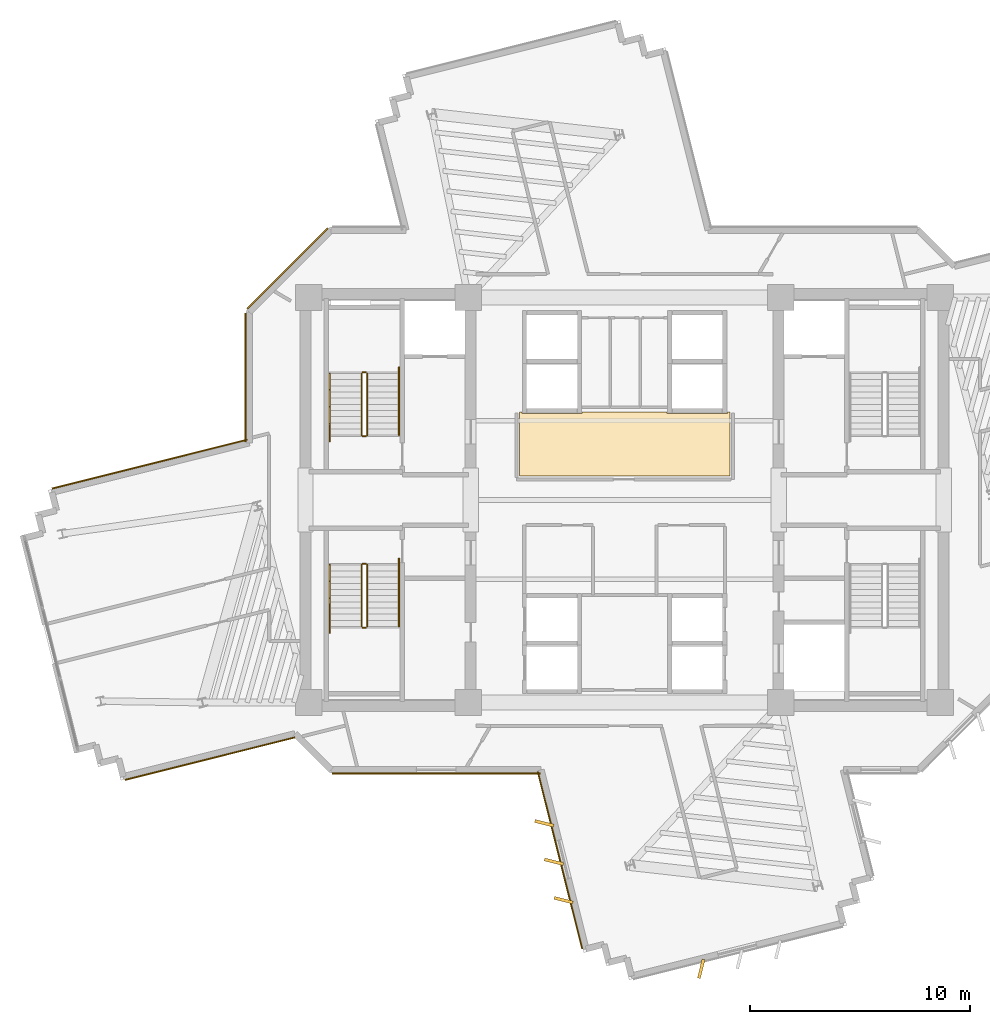
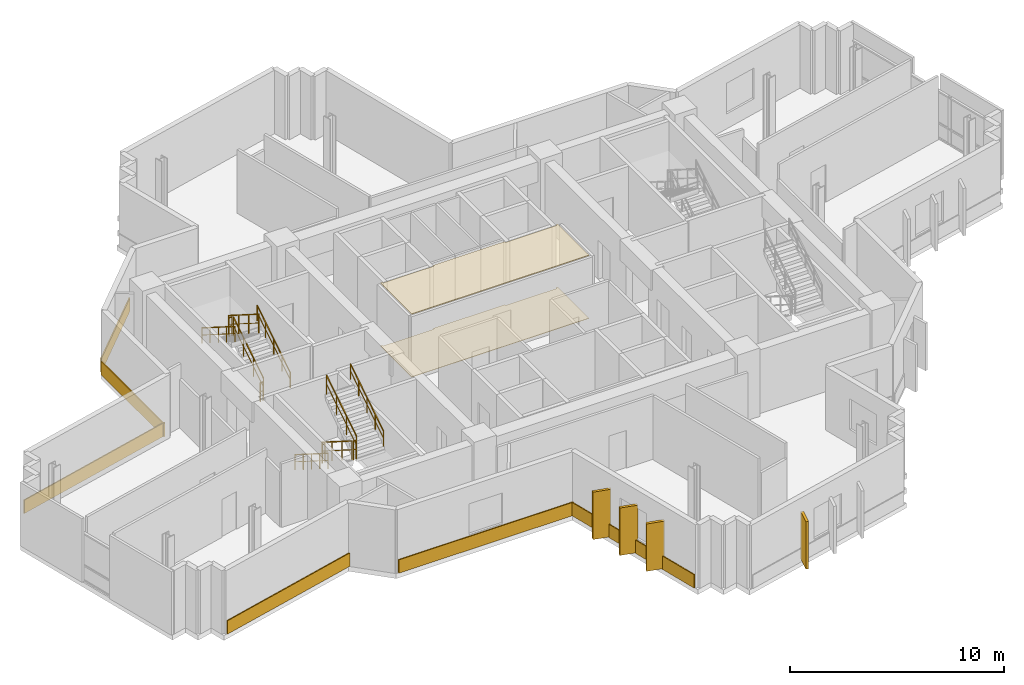
# One storey, part 11 of 13: 12 coverings, 12 railings.
"""IFC4 building model written with IfcOpenShell, lengths in metres."""

from ifc_helpers import new_model, si_unit, direction, frame, origin, origin_2d, place, context, subcontext, project, spatial, polyline, rectangle, outline, extrude, source, transform, mapped, material, layer, layer_set, type_object, element, save


model = new_model("IFC4")

# Units and contexts
model_context = context("Model", 3, precision=1e-05, world=origin(), true_north=direction((0.0, 1.0)))
body_context = subcontext(model_context, "Body", "Model", "MODEL_VIEW")
ifc_project = project(units=[si_unit("LENGTHUNIT", "METRE"), si_unit("AREAUNIT", "SQUARE_METRE"), si_unit("VOLUMEUNIT", "CUBIC_METRE"), si_unit("PLANEANGLEUNIT", "RADIAN"), si_unit("MASSUNIT", "GRAM", prefix="KILO")], contexts=[model_context])

# Site, building, storey
site_placement = place(None, origin())
site = spatial("IfcSite", under=ifc_project, at=site_placement, CompositionType="ELEMENT")
building_placement = place(site_placement, origin())
building = spatial("IfcBuilding", under=site, at=building_placement, Name="Zahravan Cultural Tower", CompositionType="ELEMENT")
storey_placement = place(building_placement, frame((0.0, 0.0, 190.199951171875)))
storey = spatial("IfcBuildingStorey", under=building, at=storey_placement, Name="L44", CompositionType="ELEMENT", Elevation=190.199951171875)

# Coverings
ifc_material_1 = material(Name="Acoustic mineral fibreboard")
ifc_layer_1 = layer(ifc_material_1, 0.0400390625)
ifc_layer_set_1 = layer_set([ifc_layer_1], Name="Acoustic mineral fibreboard")
covering_type_1 = type_object("IfcCoveringType", Name="COV-CEIL-AC20", PredefinedType="CEILING", material=ifc_layer_set_1)
covering_1_placement = place(storey_placement, frame((0.0, 0.0, 3.580078125)))
element("IfcCovering", 1, at=covering_1_placement, inside=storey, type_object=covering_type_1, Name="L44 Acoustic Suspended Ceiling", PredefinedType="CEILING", context=body_context, shape_type="SweptSolid", body=[
    extrude(outline(polyline([(31.219970703125, 31.0), (31.219970703125, 28.080078125), (40.780029296875, 28.080078125), (40.780029296875, 31.0), (40.669921875, 31.0), (40.669921875, 30.929931640625), (37.929931640625, 30.929931640625), (37.929931640625, 31.0), (34.070068359375, 31.0), (34.070068359375, 30.929931640625), (31.330078125, 30.929931640625), (31.330078125, 31.0), (31.219970703125, 31.0)])), origin(), (0.0, 0.0, 1.0), 0.0400390625),
])
ifc_material_2 = material(Name="Terrazzo flooring")
ifc_layer_2 = layer(ifc_material_2, 0.02490234375)
ifc_layer_set_2 = layer_set([ifc_layer_2], Name="Terrazzo flooring")
covering_type_2 = type_object("IfcCoveringType", Name="COV-FLR-TZ25", PredefinedType="FLOORING", material=ifc_layer_set_2)
covering_2_placement = place(storey_placement, origin())
element("IfcCovering", 2, at=covering_2_placement, inside=storey, type_object=covering_type_2, Name="L44 Polished Terrazzo Flooring", PredefinedType="FLOORING", context=body_context, shape_type="SweptSolid", body=[
    extrude(outline(polyline([(31.219970703125, 31.0), (31.219970703125, 28.080078125), (40.780029296875, 28.080078125), (40.780029296875, 31.0), (40.669921875, 31.0), (40.669921875, 30.929931640625), (37.929931640625, 30.929931640625), (37.929931640625, 31.0), (34.070068359375, 31.0), (34.070068359375, 30.929931640625), (31.330078125, 30.929931640625), (31.330078125, 31.0), (31.219970703125, 31.0)])), origin(), (0.0, 0.0, 1.0), 0.025146484375),
])

# Railings
ifc_material_3 = material(Name="Steel ASTM A572 Grade 50", Category="steel")
railing_type_1 = type_object("IfcRailingType", Name="RL-STAIR-GRD1150", PredefinedType="BALUSTRADE", material=ifc_material_3)
railing_1_placement = place(storey_placement, frame((24.300048828125, 29.949951171875, 0.17724609375)))
element("IfcRailing", 3, at=railing_1_placement, inside=storey, type_object=railing_type_1, Name="L44 ST-W1 stair guard 1", PredefinedType="BALUSTRADE", context=body_context, shape_type="SweptSolid", body=[
    extrude(rectangle(XDim=0.05, YDim=0.05, at=origin_2d()), frame((0.0, 0.0, 1.0751953125), z_axis=(0.0, 0.844908973607, 0.534910110503), x_axis=(-1.0, 0.0, 0.0)), (0.0, 0.0, 1.0), 3.31396484375),
    extrude(rectangle(XDim=0.032, YDim=0.032, at=origin_2d()), frame((0.0, 0.0, 0.572021484375), z_axis=(0.0, 0.844908973607, 0.534910110503), x_axis=(-1.0, 0.0, 0.0)), (0.0, 0.0, 1.0), 3.31396484375),
    extrude(rectangle(XDim=0.04, YDim=0.04, at=origin_2d()), origin(), (0.0, 0.0, 1.0), 1.10009765625),
    extrude(rectangle(XDim=0.04, YDim=0.04, at=origin_2d()), frame((0.0, 0.933349609375, 0.5908203125)), (0.0, 0.0, 1.0), 1.10009765625),
    extrude(rectangle(XDim=0.04, YDim=0.04, at=origin_2d()), frame((0.0, 1.86669921875, 1.181884765625)), (0.0, 0.0, 1.0), 1.10009765625),
    extrude(rectangle(XDim=0.04, YDim=0.04, at=origin_2d()), frame((0.0, 2.800048828125, 1.772705078125)), (0.0, 0.0, 1.0), 1.10009765625),
])
railing_2_placement = place(storey_placement, frame((24.25, 32.800048828125, 1.949951171875)))
element("IfcRailing", 4, at=railing_2_placement, inside=storey, type_object=railing_type_1, Name="L44 ST-W1 stair guard 2", PredefinedType="BALUSTRADE", context=body_context, shape_type="SweptSolid", body=[
    extrude(rectangle(XDim=0.05, YDim=0.05, at=origin_2d()), frame((0.0, 0.0, 1.0751953125), z_axis=(-1.0, 0.0, 0.0), x_axis=(0.0, -1.0, 0.0)), (0.0, 0.0, 1.0), 0.14990234375),
    extrude(rectangle(XDim=0.032, YDim=0.032, at=origin_2d()), frame((0.0, 0.0, 0.572021484375), z_axis=(-1.0, 0.0, 0.0), x_axis=(0.0, -1.0, 0.0)), (0.0, 0.0, 1.0), 0.14990234375),
    extrude(rectangle(XDim=0.04, YDim=0.04, at=origin_2d()), origin(), (0.0, 0.0, 1.0), 1.10009765625),
    extrude(rectangle(XDim=0.04, YDim=0.04, at=origin_2d()), frame((-0.14990234375, 0.0, 0.0)), (0.0, 0.0, 1.0), 1.10009765625),
])
railing_3_placement = place(storey_placement, frame((24.050048828125, 32.75, 2.12744140625)))
element("IfcRailing", 5, at=railing_3_placement, inside=storey, type_object=railing_type_1, Name="L44 ST-W1 stair guard 3", PredefinedType="BALUSTRADE", context=body_context, shape_type="SweptSolid", body=[
    extrude(rectangle(XDim=0.05, YDim=0.05, at=origin_2d()), frame((0.0, 0.0, 1.0751953125), z_axis=(0.0, -0.844908973607, 0.534910110503), x_axis=(1.0, 0.0, 0.0)), (0.0, 0.0, 1.0), 3.31396484375),
    extrude(rectangle(XDim=0.032, YDim=0.032, at=origin_2d()), frame((0.0, 0.0, 0.572021484375), z_axis=(0.0, -0.844908973607, 0.534910110503), x_axis=(1.0, 0.0, 0.0)), (0.0, 0.0, 1.0), 3.31396484375),
    extrude(rectangle(XDim=0.04, YDim=0.04, at=origin_2d()), origin(), (0.0, 0.0, 1.0), 1.10009765625),
    extrude(rectangle(XDim=0.04, YDim=0.04, at=origin_2d()), frame((0.0, -0.933349609375, 0.5908203125)), (0.0, 0.0, 1.0), 1.10009765625),
    extrude(rectangle(XDim=0.04, YDim=0.04, at=origin_2d()), frame((0.0, -1.86669921875, 1.181884765625)), (0.0, 0.0, 1.0), 1.10009765625),
    extrude(rectangle(XDim=0.04, YDim=0.04, at=origin_2d()), frame((0.0, -2.800048828125, 1.772705078125)), (0.0, 0.0, 1.0), 1.10009765625),
])
railing_4_placement = place(storey_placement, frame((24.25, 29.89990234375, 0.0)))
element("IfcRailing", 6, at=railing_4_placement, inside=storey, type_object=railing_type_1, Name="L44 ST-W1 stair guard 4", PredefinedType="BALUSTRADE", context=body_context, shape_type="SweptSolid", body=[
    extrude(rectangle(XDim=0.05, YDim=0.05, at=origin_2d()), frame((0.0, 0.0, 1.0751953125), z_axis=(-1.0, 0.0, 0.0), x_axis=(0.0, -1.0, 0.0)), (0.0, 0.0, 1.0), 0.14990234375),
    extrude(rectangle(XDim=0.032, YDim=0.032, at=origin_2d()), frame((0.0, 0.0, 0.572021484375), z_axis=(-1.0, 0.0, 0.0), x_axis=(0.0, -1.0, 0.0)), (0.0, 0.0, 1.0), 0.14990234375),
    extrude(rectangle(XDim=0.04, YDim=0.04, at=origin_2d()), origin(), (0.0, 0.0, 1.0), 1.10009765625),
    extrude(rectangle(XDim=0.04, YDim=0.04, at=origin_2d()), frame((-0.14990234375, 0.0, 0.0)), (0.0, 0.0, 1.0), 1.10009765625),
])
railing_5_placement = place(storey_placement, frame((24.050048828125, 24.050048828125, 0.17724609375)))
element("IfcRailing", 7, at=railing_5_placement, inside=storey, type_object=railing_type_1, Name="L44 ST-W2 stair guard 1", PredefinedType="BALUSTRADE", context=body_context, shape_type="SweptSolid", body=[
    extrude(rectangle(XDim=0.05, YDim=0.05, at=origin_2d()), frame((0.0, 0.0, 1.0751953125), z_axis=(0.0, -0.844908973607, 0.534910110503), x_axis=(1.0, 0.0, 0.0)), (0.0, 0.0, 1.0), 3.31396484375),
    extrude(rectangle(XDim=0.032, YDim=0.032, at=origin_2d()), frame((0.0, 0.0, 0.572021484375), z_axis=(0.0, -0.844908973607, 0.534910110503), x_axis=(1.0, 0.0, 0.0)), (0.0, 0.0, 1.0), 3.31396484375),
    extrude(rectangle(XDim=0.04, YDim=0.04, at=origin_2d()), origin(), (0.0, 0.0, 1.0), 1.10009765625),
    extrude(rectangle(XDim=0.04, YDim=0.04, at=origin_2d()), frame((0.0, -0.933349609375, 0.5908203125)), (0.0, 0.0, 1.0), 1.10009765625),
    extrude(rectangle(XDim=0.04, YDim=0.04, at=origin_2d()), frame((0.0, -1.86669921875, 1.181884765625)), (0.0, 0.0, 1.0), 1.10009765625),
    extrude(rectangle(XDim=0.04, YDim=0.04, at=origin_2d()), frame((0.0, -2.800048828125, 1.772705078125)), (0.0, 0.0, 1.0), 1.10009765625),
])
railing_6_placement = place(storey_placement, frame((24.10009765625, 21.199951171875, 1.949951171875)))
element("IfcRailing", 8, at=railing_6_placement, inside=storey, type_object=railing_type_1, Name="L44 ST-W2 stair guard 2", PredefinedType="BALUSTRADE", context=body_context, shape_type="SweptSolid", body=[
    extrude(rectangle(XDim=0.05, YDim=0.05, at=origin_2d()), frame((0.0, 0.0, 1.0751953125), z_axis=(1.0, 0.0, 0.0), x_axis=(0.0, 1.0, 0.0)), (0.0, 0.0, 1.0), 0.14990234375),
    extrude(rectangle(XDim=0.032, YDim=0.032, at=origin_2d()), frame((0.0, 0.0, 0.572021484375), z_axis=(1.0, 0.0, 0.0), x_axis=(0.0, 1.0, 0.0)), (0.0, 0.0, 1.0), 0.14990234375),
    extrude(rectangle(XDim=0.04, YDim=0.04, at=origin_2d()), origin(), (0.0, 0.0, 1.0), 1.10009765625),
    extrude(rectangle(XDim=0.04, YDim=0.04, at=origin_2d()), frame((0.14990234375, 0.0, 0.0)), (0.0, 0.0, 1.0), 1.10009765625),
])
railing_7_placement = place(storey_placement, frame((24.300048828125, 21.25, 2.12744140625)))
element("IfcRailing", 9, at=railing_7_placement, inside=storey, type_object=railing_type_1, Name="L44 ST-W2 stair guard 3", PredefinedType="BALUSTRADE", context=body_context, shape_type="SweptSolid", body=[
    extrude(rectangle(XDim=0.05, YDim=0.05, at=origin_2d()), frame((0.0, 0.0, 1.0751953125), z_axis=(0.0, 0.844908973607, 0.534910110503), x_axis=(-1.0, 0.0, 0.0)), (0.0, 0.0, 1.0), 3.31396484375),
    extrude(rectangle(XDim=0.032, YDim=0.032, at=origin_2d()), frame((0.0, 0.0, 0.572021484375), z_axis=(0.0, 0.844908973607, 0.534910110503), x_axis=(-1.0, 0.0, 0.0)), (0.0, 0.0, 1.0), 3.31396484375),
    extrude(rectangle(XDim=0.04, YDim=0.04, at=origin_2d()), origin(), (0.0, 0.0, 1.0), 1.10009765625),
    extrude(rectangle(XDim=0.04, YDim=0.04, at=origin_2d()), frame((0.0, 0.933349609375, 0.5908203125)), (0.0, 0.0, 1.0), 1.10009765625),
    extrude(rectangle(XDim=0.04, YDim=0.04, at=origin_2d()), frame((0.0, 1.86669921875, 1.181884765625)), (0.0, 0.0, 1.0), 1.10009765625),
    extrude(rectangle(XDim=0.04, YDim=0.04, at=origin_2d()), frame((0.0, 2.800048828125, 1.772705078125)), (0.0, 0.0, 1.0), 1.10009765625),
])
railing_8_placement = place(storey_placement, frame((24.10009765625, 24.10009765625, 0.0)))
element("IfcRailing", 10, at=railing_8_placement, inside=storey, type_object=railing_type_1, Name="L44 ST-W2 stair guard 4", PredefinedType="BALUSTRADE", context=body_context, shape_type="SweptSolid", body=[
    extrude(rectangle(XDim=0.05, YDim=0.05, at=origin_2d()), frame((0.0, 0.0, 1.0751953125), z_axis=(1.0, 0.0, 0.0), x_axis=(0.0, 1.0, 0.0)), (0.0, 0.0, 1.0), 0.14990234375),
    extrude(rectangle(XDim=0.032, YDim=0.032, at=origin_2d()), frame((0.0, 0.0, 0.572021484375), z_axis=(1.0, 0.0, 0.0), x_axis=(0.0, 1.0, 0.0)), (0.0, 0.0, 1.0), 0.14990234375),
    extrude(rectangle(XDim=0.04, YDim=0.04, at=origin_2d()), origin(), (0.0, 0.0, 1.0), 1.10009765625),
    extrude(rectangle(XDim=0.04, YDim=0.04, at=origin_2d()), frame((0.14990234375, 0.0, 0.0)), (0.0, 0.0, 1.0), 1.10009765625),
])
railing_type_2 = type_object("IfcRailingType", Name="RL-STAIR-HR900", PredefinedType="HANDRAIL", material=ifc_material_3)
railing_9_placement = place(storey_placement, frame((25.75, 29.949951171875, 0.17724609375)))
element("IfcRailing", 11, at=railing_9_placement, inside=storey, type_object=railing_type_2, Name="L44 ST-W1 stair handrail 1", PredefinedType="HANDRAIL", context=body_context, shape_type="SweptSolid", body=[
    extrude(rectangle(XDim=0.05, YDim=0.05, at=origin_2d()), frame((0.0, 0.0, 0.875), z_axis=(0.0, 0.844883648757, 0.534950109882), x_axis=(-1.0, 0.0, 0.0)), (0.0, 0.0, 1.0), 3.6455078125),
    extrude(rectangle(XDim=0.032, YDim=0.032, at=origin_2d()), frame((0.0, 0.0, 0.468017578125), z_axis=(0.0, 0.844883648757, 0.534950109882), x_axis=(-1.0, 0.0, 0.0)), (0.0, 0.0, 1.0), 3.6455078125),
    extrude(rectangle(XDim=0.04, YDim=0.04, at=origin_2d()), origin(), (0.0, 0.0, 1.0), 0.89990234375),
    extrude(rectangle(XDim=0.04, YDim=0.04, at=origin_2d()), frame((0.0, 0.77001953125, 0.487548828125)), (0.0, 0.0, 1.0), 0.89990234375),
    extrude(rectangle(XDim=0.04, YDim=0.04, at=origin_2d()), frame((0.0, 1.5400390625, 0.97509765625)), (0.0, 0.0, 1.0), 0.89990234375),
    extrude(rectangle(XDim=0.04, YDim=0.04, at=origin_2d()), frame((0.0, 2.31005859375, 1.462646484375)), (0.0, 0.0, 1.0), 0.89990234375),
    extrude(rectangle(XDim=0.04, YDim=0.04, at=origin_2d()), frame((0.0, 3.080078125, 1.9501953125)), (0.0, 0.0, 1.0), 0.89990234375),
])
railing_10_placement = place(storey_placement, frame((22.60009765625, 32.75, 2.12744140625)))
element("IfcRailing", 12, at=railing_10_placement, inside=storey, type_object=railing_type_2, Name="L44 ST-W1 stair handrail 2", PredefinedType="HANDRAIL", context=body_context, shape_type="SweptSolid", body=[
    extrude(rectangle(XDim=0.05, YDim=0.05, at=origin_2d()), frame((0.0, 0.0, 0.875), z_axis=(0.0, -0.844913916606, 0.534902302785), x_axis=(1.0, 0.0, 0.0)), (0.0, 0.0, 1.0), 3.6455078125),
    extrude(rectangle(XDim=0.032, YDim=0.032, at=origin_2d()), frame((0.0, 0.0, 0.468017578125), z_axis=(0.0, -0.844913916606, 0.534902302785), x_axis=(1.0, 0.0, 0.0)), (0.0, 0.0, 1.0), 3.6455078125),
    extrude(rectangle(XDim=0.04, YDim=0.04, at=origin_2d()), origin(), (0.0, 0.0, 1.0), 0.89990234375),
    extrude(rectangle(XDim=0.04, YDim=0.04, at=origin_2d()), frame((0.0, -0.77001953125, 0.487548828125)), (0.0, 0.0, 1.0), 0.89990234375),
    extrude(rectangle(XDim=0.04, YDim=0.04, at=origin_2d()), frame((0.0, -1.5400390625, 0.97509765625)), (0.0, 0.0, 1.0), 0.89990234375),
    extrude(rectangle(XDim=0.04, YDim=0.04, at=origin_2d()), frame((0.0, -2.31005859375, 1.46240234375)), (0.0, 0.0, 1.0), 0.89990234375),
    extrude(rectangle(XDim=0.04, YDim=0.04, at=origin_2d()), frame((0.0, -3.080078125, 1.949951171875)), (0.0, 0.0, 1.0), 0.89990234375),
])
railing_11_placement = place(storey_placement, frame((22.60009765625, 24.050048828125, 0.17724609375)))
element("IfcRailing", 13, at=railing_11_placement, inside=storey, type_object=railing_type_2, Name="L44 ST-W2 stair handrail 1", PredefinedType="HANDRAIL", context=body_context, shape_type="SweptSolid", body=[
    extrude(rectangle(XDim=0.05, YDim=0.05, at=origin_2d()), frame((0.0, 0.0, 0.875), z_axis=(0.0, -0.844883648757, 0.534950109882), x_axis=(1.0, 0.0, 0.0)), (0.0, 0.0, 1.0), 3.6455078125),
    extrude(rectangle(XDim=0.032, YDim=0.032, at=origin_2d()), frame((0.0, 0.0, 0.468017578125), z_axis=(0.0, -0.844883648757, 0.534950109882), x_axis=(1.0, 0.0, 0.0)), (0.0, 0.0, 1.0), 3.6455078125),
    extrude(rectangle(XDim=0.04, YDim=0.04, at=origin_2d()), origin(), (0.0, 0.0, 1.0), 0.89990234375),
    extrude(rectangle(XDim=0.04, YDim=0.04, at=origin_2d()), frame((0.0, -0.77001953125, 0.487548828125)), (0.0, 0.0, 1.0), 0.89990234375),
    extrude(rectangle(XDim=0.04, YDim=0.04, at=origin_2d()), frame((0.0, -1.5400390625, 0.97509765625)), (0.0, 0.0, 1.0), 0.89990234375),
    extrude(rectangle(XDim=0.04, YDim=0.04, at=origin_2d()), frame((0.0, -2.31005859375, 1.462646484375)), (0.0, 0.0, 1.0), 0.89990234375),
    extrude(rectangle(XDim=0.04, YDim=0.04, at=origin_2d()), frame((0.0, -3.080078125, 1.9501953125)), (0.0, 0.0, 1.0), 0.89990234375),
])
railing_12_placement = place(storey_placement, frame((25.75, 21.25, 2.12744140625)))
element("IfcRailing", 14, at=railing_12_placement, inside=storey, type_object=railing_type_2, Name="L44 ST-W2 stair handrail 2", PredefinedType="HANDRAIL", context=body_context, shape_type="SweptSolid", body=[
    extrude(rectangle(XDim=0.05, YDim=0.05, at=origin_2d()), frame((0.0, 0.0, 0.875), z_axis=(0.0, 0.844913916606, 0.534902302785), x_axis=(-1.0, 0.0, 0.0)), (0.0, 0.0, 1.0), 3.6455078125),
    extrude(rectangle(XDim=0.032, YDim=0.032, at=origin_2d()), frame((0.0, 0.0, 0.468017578125), z_axis=(0.0, 0.844913916606, 0.534902302785), x_axis=(-1.0, 0.0, 0.0)), (0.0, 0.0, 1.0), 3.6455078125),
    extrude(rectangle(XDim=0.04, YDim=0.04, at=origin_2d()), origin(), (0.0, 0.0, 1.0), 0.89990234375),
    extrude(rectangle(XDim=0.04, YDim=0.04, at=origin_2d()), frame((0.0, 0.77001953125, 0.487548828125)), (0.0, 0.0, 1.0), 0.89990234375),
    extrude(rectangle(XDim=0.04, YDim=0.04, at=origin_2d()), frame((0.0, 1.5400390625, 0.97509765625)), (0.0, 0.0, 1.0), 0.89990234375),
    extrude(rectangle(XDim=0.04, YDim=0.04, at=origin_2d()), frame((0.0, 2.31005859375, 1.46240234375)), (0.0, 0.0, 1.0), 0.89990234375),
    extrude(rectangle(XDim=0.04, YDim=0.04, at=origin_2d()), frame((0.0, 3.080078125, 1.949951171875)), (0.0, 0.0, 1.0), 0.89990234375),
])

# Coverings
ifc_material_4 = material(Name="Terracotta ceramic cladding", Category="masonry")
ifc_layer_3 = layer(ifc_material_4, 0.06005859375)
ifc_layer_set_3 = layer_set([ifc_layer_3], Name="Terracotta ceramic cladding")
covering_type_3 = type_object("IfcCoveringType", Name="COV-CLAD-TC60", PredefinedType="CLADDING", material=ifc_layer_set_3)
shared_shape_1 = source(origin(), body_context, "Body", "SweptSolid", [
    extrude(rectangle(XDim=5.157958984375, YDim=0.06005859375, at=origin_2d()), origin(), (0.0, 0.0, 1.0), 0.760009765625),
])
covering_3_placement = place(storey_placement, frame((20.682373046875, 37.517578125, 0.02001953125), z_axis=(0.0, 0.0, 1.0), x_axis=(0.707106781187, 0.707106781187, 0.0)))
element("IfcCovering", 15, at=covering_3_placement, inside=storey, type_object=covering_type_3, Name="L44 Terracotta Spandrel Cladding 38", PredefinedType="CLADDING", context=body_context, shape_type="MappedRepresentation", body=[
    mapped(shared_shape_1, transform((0.0, 0.0, 0.0), x_axis=(1.0, 0.0, 0.0), y_axis=(0.0, 1.0, 0.0), z_axis=(0.0, 0.0, 1.0), scale=1.0)),
])
shared_shape_2 = source(origin(), body_context, "Body", "SweptSolid", [
    extrude(rectangle(XDim=0.8798828125, YDim=0.139892578125, at=origin_2d()), origin(), (0.0, 0.0, 1.0), 2.699951171875),
])
for number, where, z_axis, x_axis, name in (
    (16, (39.4794921875, 5.697021484375, 0.05029296875), (0.0, 0.0, 1.0), (-0.240905671828, -0.970548534222, 0.0), "L44 Herringbone Terracotta Fin 15"),
    (17, (33.224609375, 8.815673828125, 0.05029296875), (0.0, 0.0, 1.0), (-0.970544329477, 0.240922611059, 0.0), "L44 Herringbone Terracotta Fin 16"),
    (18, (32.787353515625, 10.561767578125, 0.05029296875), (0.0, 0.0, 1.0), (-0.970544329477, 0.240922611059, 0.0), "L44 Herringbone Terracotta Fin 17"),
    (19, (32.35009765625, 12.307861328125, 0.05029296875), (0.0, 0.0, 1.0), (-0.970544329477, 0.240922611059, 0.0), "L44 Herringbone Terracotta Fin 18"),
):
    element("IfcCovering", number, at=place(storey_placement, frame(where, z_axis=z_axis, x_axis=x_axis)), inside=storey, type_object=covering_type_3, Name=name, PredefinedType="CLADDING", context=body_context, shape_type="MappedRepresentation", body=[
        mapped(shared_shape_2, transform((0.0, 0.0, 0.0), x_axis=(1.0, 0.0, 0.0), y_axis=(0.0, 1.0, 0.0), z_axis=(0.0, 0.0, 1.0), scale=1.0)),
    ])
shared_shape_3 = source(origin(), body_context, "Body", "SweptSolid", [
    extrude(rectangle(XDim=7.945556640625, YDim=0.06005859375, at=origin_2d()), origin(), (0.0, 0.0, 1.0), 0.760009765625),
])
covering_4_placement = place(storey_placement, frame((17.154052734375, 15.244384765625, 0.02001953125), z_axis=(0.0, 0.0, 1.0), x_axis=(-0.970041854282, -0.242937854074, 0.0)))
element("IfcCovering", 20, at=covering_4_placement, inside=storey, type_object=covering_type_3, Name="L44 Terracotta Spandrel Cladding 27", PredefinedType="CLADDING", context=body_context, shape_type="MappedRepresentation", body=[
    mapped(shared_shape_3, transform((0.0, 0.0, 0.0), x_axis=(1.0, 0.0, 0.0), y_axis=(0.0, 1.0, 0.0), z_axis=(0.0, 0.0, 1.0), scale=1.0)),
])
shared_shape_4 = source(origin(), body_context, "Body", "SweptSolid", [
    extrude(rectangle(XDim=9.14111328125, YDim=0.06005859375, at=origin_2d()), origin(), (0.0, 0.0, 1.0), 0.760009765625),
])
covering_5_placement = place(storey_placement, frame((14.417724609375, 28.630615234375, 0.02001953125), z_axis=(0.0, 0.0, 1.0), x_axis=(0.970046094199, 0.242920923613, 0.0)))
element("IfcCovering", 21, at=covering_5_placement, inside=storey, type_object=covering_type_3, Name="L44 Terracotta Spandrel Cladding 36", PredefinedType="CLADDING", context=body_context, shape_type="MappedRepresentation", body=[
    mapped(shared_shape_4, transform((0.0, 0.0, 0.0), x_axis=(1.0, 0.0, 0.0), y_axis=(0.0, 1.0, 0.0), z_axis=(0.0, 0.0, 1.0), scale=1.0)),
])
shared_shape_5 = source(origin(), body_context, "Body", "SweptSolid", [
    extrude(rectangle(XDim=5.848876953125, YDim=0.06005859375, at=origin_2d()), origin(), (0.0, 0.0, 1.0), 0.760009765625),
])
covering_6_placement = place(storey_placement, frame((18.77490234375, 32.5673828125, 0.02001953125), z_axis=(0.0, 0.0, 1.0), x_axis=(0.0, 1.0, 0.0)))
element("IfcCovering", 22, at=covering_6_placement, inside=storey, type_object=covering_type_3, Name="L44 Terracotta Spandrel Cladding 37", PredefinedType="CLADDING", context=body_context, shape_type="MappedRepresentation", body=[
    mapped(shared_shape_5, transform((0.0, 0.0, 0.0), x_axis=(1.0, 0.0, 0.0), y_axis=(0.0, 1.0, 0.0), z_axis=(0.0, 0.0, 1.0), scale=1.0)),
])
shared_shape_6 = source(origin(), body_context, "Body", "SweptSolid", [
    extrude(rectangle(XDim=8.289306640625, YDim=0.06005859375, at=origin_2d()), origin(), (0.0, 0.0, 1.0), 0.760009765625),
])
covering_7_placement = place(storey_placement, frame((33.063720703125, 10.630859375, 0.02001953125), z_axis=(0.0, 0.0, 1.0), x_axis=(-0.242920923613, 0.970046094199, 0.0)))
element("IfcCovering", 23, at=covering_7_placement, inside=storey, type_object=covering_type_3, Name="L44 Terracotta Spandrel Cladding 24", PredefinedType="CLADDING", context=body_context, shape_type="MappedRepresentation", body=[
    mapped(shared_shape_6, transform((0.0, 0.0, 0.0), x_axis=(1.0, 0.0, 0.0), y_axis=(0.0, 1.0, 0.0), z_axis=(0.0, 0.0, 1.0), scale=1.0)),
])
shared_shape_7 = source(origin(), body_context, "Body", "SweptSolid", [
    extrude(rectangle(XDim=9.44677734375, YDim=0.06005859375, at=origin_2d()), origin(), (0.0, 0.0, 1.0), 0.760009765625),
])
covering_8_placement = place(storey_placement, frame((27.431396484375, 14.574951171875, 0.02001953125), z_axis=(0.0, 0.0, 1.0), x_axis=(-1.0, 0.0, 0.0)))
element("IfcCovering", 24, at=covering_8_placement, inside=storey, type_object=covering_type_3, Name="L44 Terracotta Spandrel Cladding 25", PredefinedType="CLADDING", context=body_context, shape_type="MappedRepresentation", body=[
    mapped(shared_shape_7, transform((0.0, 0.0, 0.0), x_axis=(1.0, 0.0, 0.0), y_axis=(0.0, 1.0, 0.0), z_axis=(0.0, 0.0, 1.0), scale=1.0)),
])

save(model, "model.ifc")
